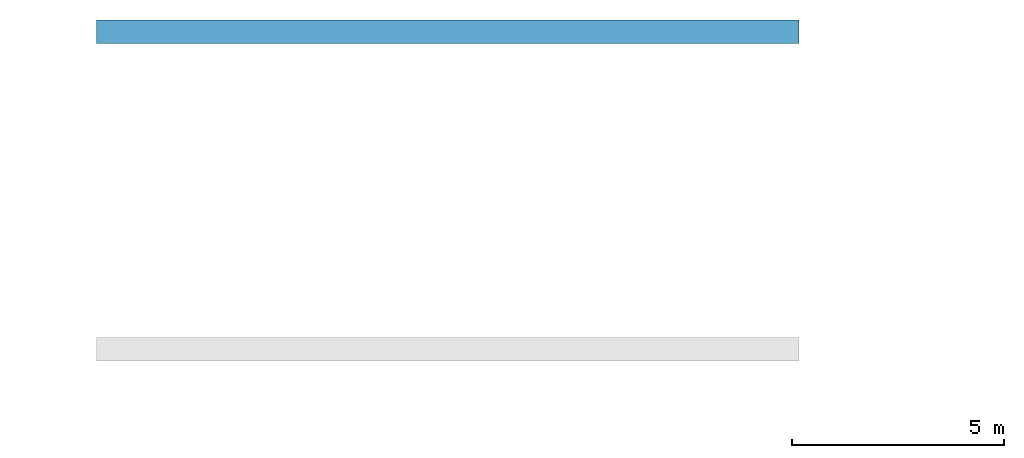
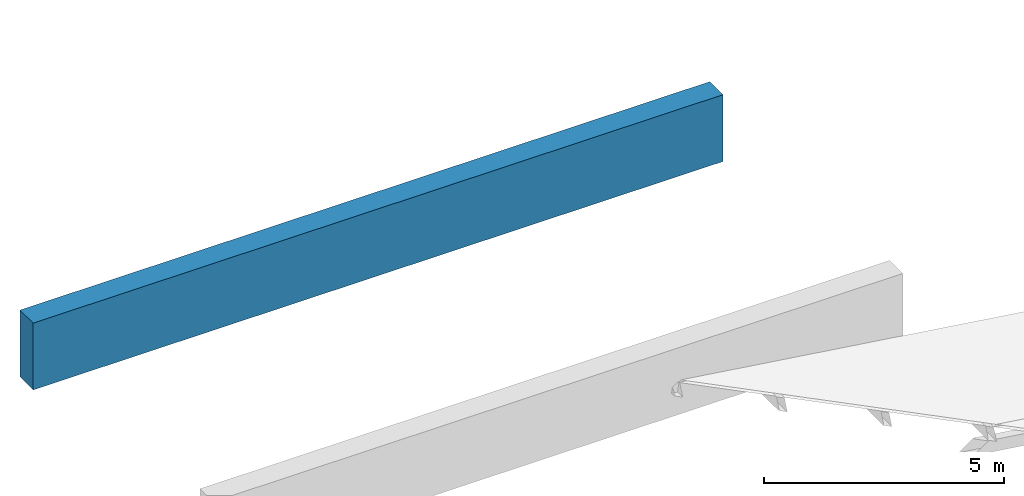
# One storey, part 12 of 52: 1 beam.
"""IFC4 building model written with IfcOpenShell, lengths in metres."""

import ifcopenshell
import ifcopenshell.guid

model = None  # the IFC model being written
_history = None  # IfcOwnerHistory: only IFC2X3 demands one
_inside = {}  # id of a spatial element -> (the spatial element, [elements in it])
_under = {}  # id of a project, library or spatial element -> (it, [spatial elements below it])
_declared = {}  # id of a project -> (the project, [libraries it declares])
_typed = {}  # id of a type object -> (the type object, [elements of that type])
_made_of = {}  # id of a material, layer set ... -> (it, [elements and type objects made of it])


def new_model(schema):
    """Start an empty IFC model of exactly this schema.

    Asked for "IFC4X3", IfcOpenShell would pick the latest addendum, in which some entities
    have other attributes; the version numbers below select the first issue.
    IFC2X3 requires an IfcOwnerHistory on every rooted entity: one is made here for all.
    """
    global model, _history
    if schema == "IFC4X3":
        model = ifcopenshell.file(schema_version=(4, 3, 0, 0))
    else:
        model = ifcopenshell.file(schema=schema)
    _inside.clear()
    _under.clear()
    _declared.clear()
    _typed.clear()
    _made_of.clear()
    _history = None
    if model.schema == "IFC2X3":
        org = make("IfcOrganization", Name="unknown")
        user = make(
            "IfcPersonAndOrganization",
            ThePerson=make("IfcPerson", FamilyName="unknown"),
            TheOrganization=org,
        )
        app = make(
            "IfcApplication",
            ApplicationDeveloper=org,
            Version="unknown",
            ApplicationFullName="unknown",
            ApplicationIdentifier="unknown",
        )
        _history = make(
            "IfcOwnerHistory",
            OwningUser=user,
            OwningApplication=app,
            ChangeAction="ADDED",
            CreationDate=0,
        )
    return model


def make(cls, **values):
    """One entity of the class cls with the attributes given. An attribute that is None is left unset."""
    return model.create_entity(
        cls, **{name: value for name, value in values.items() if value is not None}
    )


def rooted(cls, **values):
    """An entity with a GlobalId (a new one), such as an element, a storey or a relation."""
    return make(cls, GlobalId=ifcopenshell.guid.new(), OwnerHistory=_history, **values)


def si_unit(unit_type, name, prefix=None):
    """IfcSIUnit, for example si_unit("LENGTHUNIT", "METRE", prefix="MILLI")."""
    return make("IfcSIUnit", UnitType=unit_type, Prefix=prefix, Name=name)


def assignment(units):
    """IfcUnitAssignment: the units of a project."""
    return None if units is None else make("IfcUnitAssignment", Units=units)


def point(xyz):
    """IfcCartesianPoint."""
    return None if xyz is None else make("IfcCartesianPoint", Coordinates=xyz)


def direction(xyz):
    """IfcDirection."""
    return None if xyz is None else make("IfcDirection", DirectionRatios=xyz)


def frame(location, z_axis=None, x_axis=None):
    """IfcAxis2Placement3D, a coordinate frame: its origin and axes. An axis left out is left unset."""
    return make(
        "IfcAxis2Placement3D",
        Location=point(location),
        Axis=direction(z_axis),
        RefDirection=direction(x_axis),
    )


def origin():
    """The frame at (0, 0, 0) with its axes left unset."""
    return frame((0.0, 0.0, 0.0))


def place(relative_to, where):
    """IfcLocalPlacement: puts the frame where relative to a parent placement (None: the world)."""
    return make(
        "IfcLocalPlacement", PlacementRelTo=relative_to, RelativePlacement=where
    )


def context(
    kind, dimensions, precision=None, world=None, true_north=None, identifier=None
):
    """IfcGeometricRepresentationContext, for example the 3D "Model" context."""
    return make(
        "IfcGeometricRepresentationContext",
        ContextIdentifier=identifier,
        ContextType=kind,
        CoordinateSpaceDimension=dimensions,
        Precision=precision,
        WorldCoordinateSystem=world,
        TrueNorth=true_north,
    )


def subcontext(parent, identifier, kind, view, scale=None):
    """IfcGeometricRepresentationSubContext, for example "Body" below "Model"."""
    return make(
        "IfcGeometricRepresentationSubContext",
        ContextIdentifier=identifier,
        ContextType=kind,
        ParentContext=parent,
        TargetScale=scale,
        TargetView=view,
    )


def project(units=None, contexts=None):
    """IfcProject with its units and contexts."""
    return rooted(
        "IfcProject",
        Name="project",
        RepresentationContexts=contexts,
        UnitsInContext=assignment(units),
    )


def spatial(cls, under=None, at=None, **own):
    """A site, building, storey or space (cls), placed at a placement, below another one or the project."""
    s = rooted(cls, ObjectPlacement=at, **own)
    if under is not None:
        _under.setdefault(under.id(), (under, []))[1].append(s)
    return s


def polyline(points):
    """IfcPolyline through the points."""
    return make("IfcPolyline", Points=[point(p) for p in points])


def outline(outer, holes=None, kind="AREA"):
    """IfcArbitraryClosedProfileDef: a profile drawn as a closed curve; with holes, ...WithVoids."""
    if holes is None:
        return make("IfcArbitraryClosedProfileDef", ProfileType=kind, OuterCurve=outer)
    return make(
        "IfcArbitraryProfileDefWithVoids",
        ProfileType=kind,
        OuterCurve=outer,
        InnerCurves=holes,
    )


def extrude(swept, where, along, depth):
    """IfcExtrudedAreaSolid: the profile swept, set in the frame where, extruded along a direction by depth."""
    return make(
        "IfcExtrudedAreaSolid",
        SweptArea=swept,
        Position=where,
        ExtrudedDirection=direction(along),
        Depth=depth,
    )


def shape(context_of_items, identifier, shape_type, items):
    """IfcShapeRepresentation: the items that make up one representation, for example the "Body"."""
    return make(
        "IfcShapeRepresentation",
        ContextOfItems=context_of_items,
        RepresentationIdentifier=identifier,
        RepresentationType=shape_type,
        Items=items,
    )


def material(Name=None, Category=None):
    """IfcMaterial."""
    return make("IfcMaterial", Name=Name, Category=Category)


def material_profile(
    of_material, cross_section, Name=None, Category=None, Priority=None
):
    """IfcMaterialProfile: a cross section and its material."""
    return make(
        "IfcMaterialProfile",
        Name=Name,
        Material=of_material,
        Profile=cross_section,
        Priority=Priority,
        Category=Category,
    )


def profile_set(profiles, Name=None, composite=None):
    """IfcMaterialProfileSet."""
    return make(
        "IfcMaterialProfileSet",
        Name=Name,
        MaterialProfiles=profiles,
        CompositeProfile=composite,
    )


def made_of(thing, what):
    """Note that an element or type object is made of a material, layer set ...; save() writes the relation."""
    if what is not None:
        _made_of.setdefault(what.id(), (what, []))[1].append(thing)
    return thing


def type_object(cls, material=None, **own):
    """A type object (cls), such as IfcWallType, which elements share."""
    return made_of(rooted(cls, **own), material)


def element(
    cls,
    number,
    at=None,
    inside=None,
    cuts=None,
    type_object=None,
    material=None,
    context=None,
    identifier="Body",
    shape_type=None,
    held_by="IfcProductDefinitionShape",
    body=None,
    shapes=None,
    **own,
):
    """One element of the class cls, such as IfcWall. Its Tag is "e" and its number.

    at: its placement. inside: the storey or other place that contains it. cuts: it is an
    opening in that element (IfcRelVoidsElement). A single representation is given by context,
    identifier, shape_type and body (its items); several are given by shapes. held_by: the class
    of the entity that holds the representations. save() writes the other relations.
    """
    e = rooted(cls, Tag="e%d" % number, ObjectPlacement=at, **own)
    if body is not None:
        shapes = [shape(context, identifier, shape_type, body)]
    if shapes is not None:
        e.Representation = make(held_by, Representations=shapes)
    if inside is not None:
        _inside.setdefault(inside.id(), (inside, []))[1].append(e)
    if cuts is not None:
        rooted(
            "IfcRelVoidsElement", RelatingBuildingElement=cuts, RelatedOpeningElement=e
        )
    if type_object is not None:
        _typed.setdefault(type_object.id(), (type_object, []))[1].append(e)
    return made_of(e, material)


def aggregate(whole, parts):
    """IfcRelAggregates: a whole, such as a stair, and the parts it consists of."""
    return rooted("IfcRelAggregates", RelatingObject=whole, RelatedObjects=parts)


def save(model, path):
    """Write the relations noted so far, then the file.

    IfcRelAggregates (storeys below a building ...), IfcRelContainedInSpatialStructure (elements
    in a storey), IfcRelDefinesByType, IfcRelAssociatesMaterial and IfcRelDeclares: one each for
    every whole, place, type object, material and project.
    """
    for whole, parts in _under.values():
        aggregate(whole, parts)
    for where, things in _inside.values():
        rooted(
            "IfcRelContainedInSpatialStructure",
            RelatedElements=things,
            RelatingStructure=where,
        )
    for kind, things in _typed.values():
        rooted("IfcRelDefinesByType", RelatedObjects=things, RelatingType=kind)
    for what, things in _made_of.values():
        rooted("IfcRelAssociatesMaterial", RelatedObjects=things, RelatingMaterial=what)
    for by, libraries in _declared.values():
        rooted("IfcRelDeclares", RelatingContext=by, RelatedDefinitions=libraries)
    model.write(path)


model = new_model("IFC4")

# Units and contexts
model_context = context("Model", 3, precision=1e-05, world=origin(), true_north=direction((0.0, 1.0)))
body_context = subcontext(model_context, "Body", "Model", "MODEL_VIEW")
ifc_project = project(units=[si_unit("LENGTHUNIT", "METRE"), si_unit("AREAUNIT", "SQUARE_METRE"), si_unit("VOLUMEUNIT", "CUBIC_METRE"), si_unit("PLANEANGLEUNIT", "RADIAN"), si_unit("MASSUNIT", "GRAM", prefix="KILO")], contexts=[model_context])

# Site, building, storey
site_placement = place(None, origin())
site = spatial("IfcSite", under=ifc_project, at=site_placement, CompositionType="ELEMENT")
building_placement = place(site_placement, origin())
building = spatial("IfcBuilding", under=site, at=building_placement, Name="Cour d'Honneur Mobility Palace", CompositionType="ELEMENT")
storey_placement = place(building_placement, frame((0.0, 0.0, 23.0)))
storey = spatial("IfcBuildingStorey", under=building, at=storey_placement, Name="L06", CompositionType="ELEMENT", Elevation=23.0)

# Beam
ifc_material = material(Name="Concrete C45", Category="concrete")
ifc_material_profile = material_profile(ifc_material, outline(polyline([(0.27490234375, -1.699951171875), (0.27490234375, 0.0), (-0.27490234375, 0.0), (-0.27490234375, -1.699951171875), (0.27490234375, -1.699951171875)])), Name="Edge Spandrel Beam 550x1700 no ledge plain")
ifc_profile_set = profile_set([ifc_material_profile], Name="Concrete C45")
beam_type = type_object("IfcBeamType", Name="Edge Spandrel Beam 550x1700 no ledge plain", PredefinedType="SPANDREL", material=ifc_profile_set)
beam_placement = place(storey_placement, frame((0.39990234375, 114.89990234375, 0.0), z_axis=(1.0, 0.0, 0.0), x_axis=(0.0, 1.0, 0.0)))
element("IfcBeam", 1, at=beam_placement, inside=storey, type_object=beam_type, Name="Precast beam B22 1-2 L06", PredefinedType="SPANDREL", context=body_context, shape_type="SweptSolid", body=[
    extrude(outline(polyline([(0.27490234375, -1.699951171875), (0.27490234375, 0.0), (-0.27490234375, 0.0), (-0.27490234375, -1.699951171875), (0.27490234375, -1.699951171875)])), origin(), (0.0, 0.0, 1.0), 16.60009765625),
])

save(model, "model.ifc")
